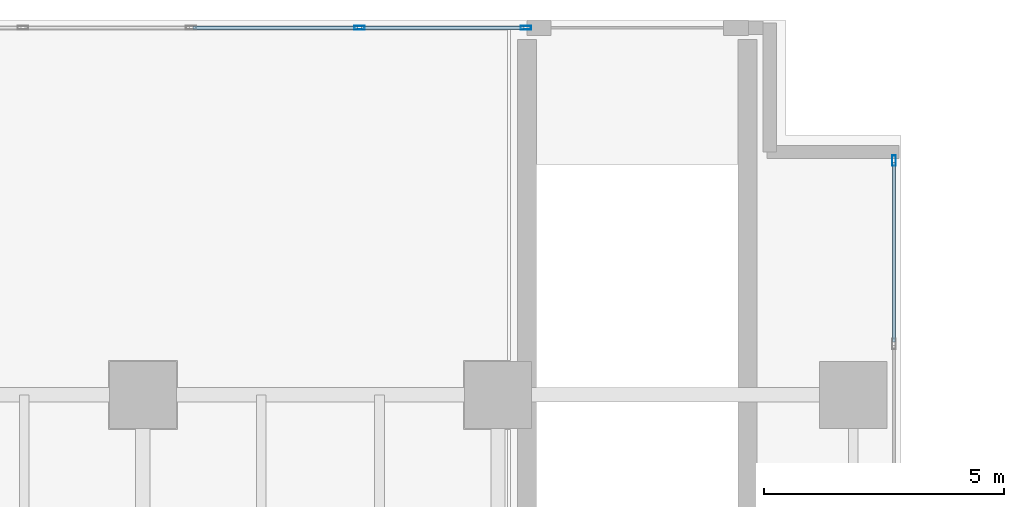
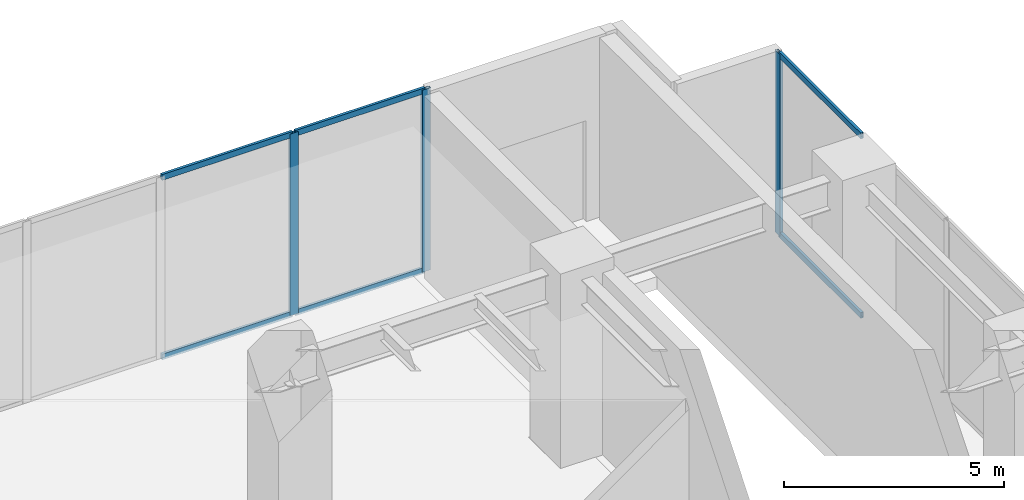
# One storey, part 17 of 28: 9 members, 2 elements without a shape of their own.
"""IFC4 building model written with IfcOpenShell, lengths in metres."""

from ifc_helpers import new_model, si_unit, direction, frame, origin, origin_2d, place, context, subcontext, project, spatial, hollow_rectangle, extrude, source, transform, mapped, material, layer, layer_set, material_profile, profile_set, type_object, type_shapes, element, aggregate, save


model = new_model("IFC4")

# Units and contexts
model_context = context("Model", 3, precision=1e-05, world=origin(), true_north=direction((0.0, 1.0)))
body_context = subcontext(model_context, "Body", "Model", "MODEL_VIEW")
ifc_project = project(units=[si_unit("LENGTHUNIT", "METRE"), si_unit("AREAUNIT", "SQUARE_METRE"), si_unit("VOLUMEUNIT", "CUBIC_METRE"), si_unit("PLANEANGLEUNIT", "RADIAN"), si_unit("MASSUNIT", "GRAM", prefix="KILO")], contexts=[model_context])

# Site, building, storey
site_placement = place(None, origin())
site = spatial("IfcSite", under=ifc_project, at=site_placement, CompositionType="ELEMENT")
building_placement = place(site_placement, origin())
building = spatial("IfcBuilding", under=site, at=building_placement, Name="Haelvirn Gate Laboratories", CompositionType="ELEMENT")
storey_placement = place(building_placement, origin())
storey = spatial("IfcBuildingStorey", under=building, at=storey_placement, Name="L01", CompositionType="ELEMENT", Elevation=0.0)

# Curtain wall, members
ifc_material_1 = material(Name="Anodised bronze unitised aluminium & triple low-E glass", Category="aluminium")
ifc_layer = layer(ifc_material_1, 0.18798828125, Name="CW-SYS-1")
ifc_layer_set = layer_set([ifc_layer], Name="Anodised bronze unitised aluminium & triple low-E glass")
curtain_wall_type = type_object("IfcCurtainWallType", Name="CW-SYS-1", PredefinedType="NOTDEFINED", material=ifc_layer_set)
curtain_wall_1_placement = place(storey_placement, origin())
curtain_wall_1 = element("IfcCurtainWall", 1, at=curtain_wall_1_placement, inside=storey, type_object=curtain_wall_type, Name="L01 Unitised Curtain Wall CW-L01-NR", PredefinedType="NOTDEFINED")
ifc_material_2 = material(Name="Extruded aluminium 6063-T6 (anodised bronze)", Category="aluminium")
ifc_material_profile_1 = material_profile(ifc_material_2, hollow_rectangle(XDim=0.080078125, YDim=0.219970703125, WallThickness=0.006103515625, at=origin_2d()), Name="CWM-220x80x6")
ifc_profile_set_1 = profile_set([ifc_material_profile_1], Name="Extruded aluminium 6063-T6 (anodised bronze)")
member_type_1 = type_object("IfcMemberType", Name="CWM-T220", PredefinedType="MULLION", material=ifc_profile_set_1)
shared_shape_1 = source(origin(), body_context, "Body", "SweptSolid", [
    extrude(hollow_rectangle(XDim=0.080078125, YDim=0.219970703125, WallThickness=0.006103515625, at=origin_2d()), origin(), (0.0, 0.0, 1.0), 5.050048828125),
])
type_shapes(member_type_1, [shared_shape_1])
member_1_placement = place(storey_placement, frame((64.513427734375, 49.25, 0.0), z_axis=(0.0, 0.0, 1.0), x_axis=(0.0, 1.0, 0.0)))
member_1 = element("IfcMember", 2, at=member_1_placement, type_object=member_type_1, Name="CW1 mullion 6", PredefinedType="MULLION", context=body_context, shape_type="MappedRepresentation", body=[
    mapped(shared_shape_1, transform((0.0, 0.0, 0.0), scale=1.0)),
])
member_2_placement = place(storey_placement, frame((67.97998046875, 49.25, 0.0), z_axis=(0.0, 0.0, 1.0), x_axis=(0.0, 1.0, 0.0)))
member_2 = element("IfcMember", 3, at=member_2_placement, type_object=member_type_1, Name="CW1 mullion 7", PredefinedType="MULLION", context=body_context, shape_type="MappedRepresentation", body=[
    mapped(shared_shape_1, transform((0.0, 0.0, 0.0), scale=1.0)),
])

# Curtain wall, member
curtain_wall_2_placement = place(storey_placement, origin())
curtain_wall_2 = element("IfcCurtainWall", 4, at=curtain_wall_2_placement, inside=storey, type_object=curtain_wall_type, Name="L01 Unitised Curtain Wall CW-L01-EN", PredefinedType="NOTDEFINED")
member_3_placement = place(storey_placement, frame((75.64990234375, 46.47998046875, 0.0), z_axis=(0.0, 0.0, 1.0), x_axis=(-1.0, 0.0, 0.0)))
member_3 = element("IfcMember", 5, at=member_3_placement, type_object=member_type_1, Name="CW1 mullion 7", PredefinedType="MULLION", context=body_context, shape_type="MappedRepresentation", body=[
    mapped(shared_shape_1, transform((0.0, 0.0, 0.0), scale=1.0)),
])

# Member
ifc_material_profile_2 = material_profile(ifc_material_2, hollow_rectangle(XDim=0.070068359375, YDim=0.159912109375, WallThickness=0.0048828125, at=origin_2d()), Name="CWT-160x70x5")
ifc_profile_set_2 = profile_set([ifc_material_profile_2], Name="Extruded aluminium 6063-T6 (anodised bronze)")
member_type_2 = type_object("IfcMemberType", Name="CWT-T160", PredefinedType="USERDEFINED", material=ifc_profile_set_2)
shared_shape_2 = source(origin(), body_context, "Body", "SweptSolid", [
    extrude(hollow_rectangle(XDim=0.070068359375, YDim=0.159912109375, WallThickness=0.0048828125, at=origin_2d()), origin(), (0.0, 0.0, 1.0), 3.38671875),
])
member_4_placement = place(storey_placement, frame((64.55322265625, 49.25, 0.034912109375), z_axis=(1.0, 0.0, 0.0), x_axis=(0.0, 1.0, 0.0)))
member_4 = element("IfcMember", 6, at=member_4_placement, type_object=member_type_2, Name="CW1 transom 6.1", ObjectType="TRANSOM", PredefinedType="USERDEFINED", context=body_context, shape_type="MappedRepresentation", body=[
    mapped(shared_shape_2, transform((0.0, 0.0, 0.0), scale=1.0)),
])

member_5_placement = place(storey_placement, frame((64.55322265625, 49.25, 5.014892578125), z_axis=(1.0, 0.0, 0.0), x_axis=(0.0, 1.0, 0.0)))
member_5 = element("IfcMember", 7, at=member_5_placement, type_object=member_type_2, Name="CW1 transom 6.2", ObjectType="TRANSOM", PredefinedType="USERDEFINED", context=body_context, shape_type="MappedRepresentation", body=[
    mapped(shared_shape_2, transform((0.0, 0.0, 0.0), scale=1.0)),
])

shared_shape_3 = source(origin(), body_context, "Body", "SweptSolid", [
    extrude(hollow_rectangle(XDim=0.070068359375, YDim=0.159912109375, WallThickness=0.0048828125, at=origin_2d()), origin(), (0.0, 0.0, 1.0), 3.4267578125),
])
member_6_placement = place(storey_placement, frame((61.046630859375, 49.25, 0.034912109375), z_axis=(1.0, 0.0, 0.0), x_axis=(0.0, 1.0, 0.0)))
member_6 = element("IfcMember", 8, at=member_6_placement, type_object=member_type_2, Name="CW1 transom 5.1", ObjectType="TRANSOM", PredefinedType="USERDEFINED", context=body_context, shape_type="MappedRepresentation", body=[
    mapped(shared_shape_3, transform((0.0, 0.0, 0.0), scale=1.0)),
])

member_7_placement = place(storey_placement, frame((61.046630859375, 49.25, 5.014892578125), z_axis=(1.0, 0.0, 0.0), x_axis=(0.0, 1.0, 0.0)))
member_7 = element("IfcMember", 9, at=member_7_placement, type_object=member_type_2, Name="CW1 transom 5.2", ObjectType="TRANSOM", PredefinedType="USERDEFINED", context=body_context, shape_type="MappedRepresentation", body=[
    mapped(shared_shape_3, transform((0.0, 0.0, 0.0), scale=1.0)),
])

aggregate(curtain_wall_1, [member_1, member_2, member_6, member_7, member_4, member_5])

shared_shape_4 = source(origin(), body_context, "Body", "SweptSolid", [
    extrude(hollow_rectangle(XDim=0.070068359375, YDim=0.159912109375, WallThickness=0.0048828125, at=origin_2d()), origin(), (0.0, 0.0, 1.0), 3.736572265625),
])
type_shapes(member_type_2, [shared_shape_2, shared_shape_3, shared_shape_4])
member_8_placement = place(storey_placement, frame((75.64990234375, 42.703369140625, 0.034912109375), z_axis=(0.0, 1.0, 0.0), x_axis=(-1.0, 0.0, 0.0)))
member_8 = element("IfcMember", 10, at=member_8_placement, type_object=member_type_2, Name="CW1 transom 6.1", ObjectType="TRANSOM", PredefinedType="USERDEFINED", context=body_context, shape_type="MappedRepresentation", body=[
    mapped(shared_shape_4, transform((0.0, 0.0, 0.0), scale=1.0)),
])

member_9_placement = place(storey_placement, frame((75.64990234375, 42.703369140625, 5.014892578125), z_axis=(0.0, 1.0, 0.0), x_axis=(-1.0, 0.0, 0.0)))
member_9 = element("IfcMember", 11, at=member_9_placement, type_object=member_type_2, Name="CW1 transom 6.2", ObjectType="TRANSOM", PredefinedType="USERDEFINED", context=body_context, shape_type="MappedRepresentation", body=[
    mapped(shared_shape_4, transform((0.0, 0.0, 0.0), scale=1.0)),
])

aggregate(curtain_wall_2, [member_3, member_8, member_9])

save(model, "model.ifc")
